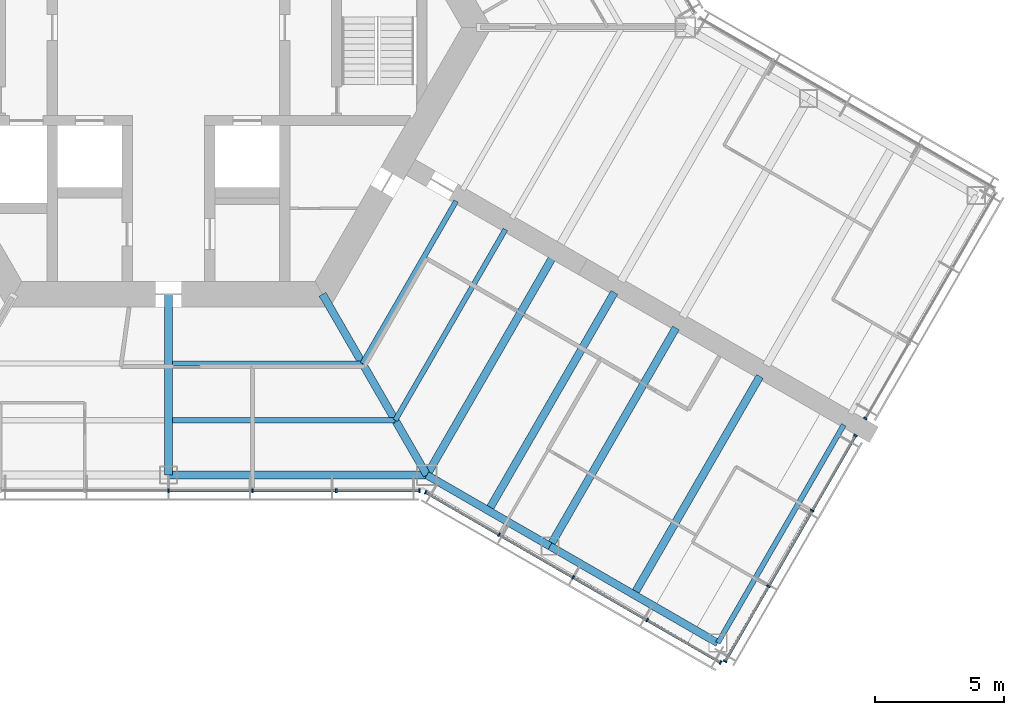
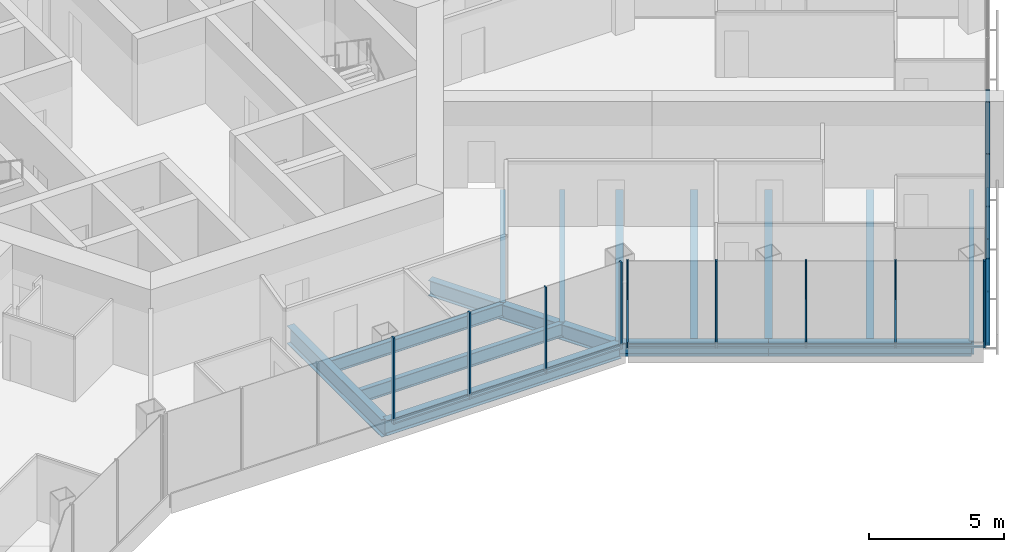
# One storey, part 5 of 18: 24 members, 14 beams, 4 elements without a shape of their own.
"""IFC4 building model written with IfcOpenShell, lengths in metres."""

from ifc_helpers import new_model, si_unit, direction, frame, origin, origin_2d, place, context, subcontext, project, spatial, rectangle, i_section, extrude, material, material_profile, profile_set, type_object, element, aggregate, save


model = new_model("IFC4")

# Units and contexts
model_context = context("Model", 3, precision=1e-05, world=origin(), true_north=direction((0.0, 1.0)))
body_context = subcontext(model_context, "Body", "Model", "MODEL_VIEW")
ifc_project = project(units=[si_unit("LENGTHUNIT", "METRE"), si_unit("AREAUNIT", "SQUARE_METRE"), si_unit("VOLUMEUNIT", "CUBIC_METRE"), si_unit("PLANEANGLEUNIT", "RADIAN"), si_unit("MASSUNIT", "GRAM", prefix="KILO")], contexts=[model_context])

# Site, building, storey
site_placement = place(None, origin())
site = spatial("IfcSite", under=ifc_project, at=site_placement, CompositionType="ELEMENT")
building_placement = place(site_placement, origin())
building = spatial("IfcBuilding", under=site, at=building_placement, Name="Kasaneha Research Tower", CompositionType="ELEMENT")
storey_placement = place(building_placement, frame((0.0, 0.0, 168.199951171875)))
storey = spatial("IfcBuildingStorey", under=building, at=storey_placement, Name="L42", CompositionType="ELEMENT", Elevation=168.199951171875)

# Beams
ifc_material_1 = material(Name="Steel SN490B", Category="steel")
ifc_material_profile_1 = material_profile(ifc_material_1, i_section(OverallWidth=0.199951171875, OverallDepth=0.60009765625, WebThickness=0.010986328125, FlangeThickness=0.01708984375, FilletRadius=0.012939453125, at=origin_2d()), Name="H-600x200x11x17")
ifc_profile_set_1 = profile_set([ifc_material_profile_1], Name="Steel SN490B")
beam_type_1 = type_object("IfcBeamType", Name="B1-3 secondary beam H-600x200x11x17", PredefinedType="JOIST", material=ifc_profile_set_1)
beam_1_placement = place(storey_placement, frame((7.505615234375, -13.0, -0.449951171875), z_axis=(-1.0, 0.0, 0.0), x_axis=(0.0, -1.0, 0.0)))
element("IfcBeam", 1, at=beam_1_placement, inside=storey, type_object=beam_type_1, Name="Secondary beam RS270R1 L42", PredefinedType="JOIST", context=body_context, shape_type="SweptSolid", body=[
    extrude(i_section(OverallWidth=0.199951171875, OverallDepth=0.60009765625, WebThickness=0.010986328125, FlangeThickness=0.01708984375, FilletRadius=0.012939453125, at=origin_2d()), origin(), (0.0, 0.0, 1.0), 7.355712890625),
])
beam_2_placement = place(storey_placement, frame((8.775634765625, -15.199951171875, -0.449951171875), z_axis=(-1.0, 0.0, 0.0), x_axis=(0.0, -1.0, 0.0)))
element("IfcBeam", 2, at=beam_2_placement, inside=storey, type_object=beam_type_1, Name="Secondary beam RS270R2 L42", PredefinedType="JOIST", context=body_context, shape_type="SweptSolid", body=[
    extrude(i_section(OverallWidth=0.199951171875, OverallDepth=0.60009765625, WebThickness=0.010986328125, FlangeThickness=0.01708984375, FilletRadius=0.012939453125, at=origin_2d()), origin(), (0.0, 0.0, 1.0), 8.625732421875),
])
beam_3_placement = place(storey_placement, frame((7.505615234375, -13.0, -0.449951171875), z_axis=(0.499993340521, 0.866029248602, 0.0), x_axis=(-0.866029248602, 0.499993340521, 0.0)))
element("IfcBeam", 3, at=beam_3_placement, inside=storey, type_object=beam_type_1, Name="Secondary beam RS330L1 L42", PredefinedType="JOIST", context=body_context, shape_type="SweptSolid", body=[
    extrude(i_section(OverallWidth=0.199951171875, OverallDepth=0.60009765625, WebThickness=0.010986328125, FlangeThickness=0.01708984375, FilletRadius=0.012939453125, at=origin_2d()), origin(), (0.0, 0.0, 1.0), 7.25537109375),
])
beam_4_placement = place(storey_placement, frame((8.775634765625, -15.199951171875, -0.449951171875), z_axis=(0.500004205306, 0.866022975836, 0.0), x_axis=(-0.866022975836, 0.500004205306, 0.0)))
element("IfcBeam", 4, at=beam_4_placement, inside=storey, type_object=beam_type_1, Name="Secondary beam RS330L2 L42", PredefinedType="JOIST", context=body_context, shape_type="SweptSolid", body=[
    extrude(i_section(OverallWidth=0.199951171875, OverallDepth=0.60009765625, WebThickness=0.010986328125, FlangeThickness=0.01708984375, FilletRadius=0.012939453125, at=origin_2d()), origin(), (0.0, 0.0, 1.0), 8.52587890625),
])
ifc_material_2 = material(Name="Steel SN490B", Category="steel")
ifc_material_profile_2 = material_profile(ifc_material_2, i_section(OverallWidth=0.300048828125, OverallDepth=0.58203125, WebThickness=0.011962890625, FlangeThickness=0.01708984375, FilletRadius=0.012939453125, at=origin_2d()), Name="H-582x300x12x17")
ifc_profile_set_2 = profile_set([ifc_material_profile_2], Name="Steel SN490B")
beam_type_2 = type_object("IfcBeamType", Name="B2-3 secondary beam H-582x300x12x17", PredefinedType="JOIST", material=ifc_profile_set_2)
for number, where, z_axis, x_axis, name in (
    (5, (12.381591796875, -18.695556640625, -0.44091796875), (0.499995560238, 0.866027967067, 0.0), (-0.866027967067, 0.499995560238, 0.0), "Secondary beam WBCP1 L42"),
    (6, (18.0107421875, -21.945556640625, -0.44091796875), (0.499995560238, 0.866027967067, 0.0), (-0.866027967067, 0.499995560238, 0.0), "Secondary beam WBCP2 L42"),
):
    element("IfcBeam", number, at=place(storey_placement, frame(where, z_axis=z_axis, x_axis=x_axis)), inside=storey, type_object=beam_type_2, Name=name, PredefinedType="JOIST", context=body_context, shape_type="SweptSolid", body=[
        extrude(i_section(OverallWidth=0.300048828125, OverallDepth=0.58203125, WebThickness=0.011962890625, FlangeThickness=0.01708984375, FilletRadius=0.012939453125, at=origin_2d()), origin(), (0.0, 0.0, 1.0), 9.75),
    ])

# Curtain wall, members
ifc_material_3 = material(Name="Glass and aluminium", Category="aluminium")
curtain_wall_type = type_object("IfcCurtainWallType", Name="Mid-rise office curtain wall", PredefinedType="USERDEFINED", material=ifc_material_3)
curtain_wall_1_placement = place(storey_placement, origin())
curtain_wall_1 = element("IfcCurtainWall", 7, at=curtain_wall_1_placement, inside=storey, type_object=curtain_wall_type, Name="CW-O2 L42 run 01a", ObjectType="UNITISED CURTAIN WALL", PredefinedType="USERDEFINED")
ifc_material_4 = material(Name="Aluminium 6063-T6", Category="aluminium")
ifc_material_profile_3 = material_profile(ifc_material_4, rectangle(XDim=0.06005859375, YDim=0.14990234375, at=origin_2d()), Name="CW-O2 mullion 60x150")
ifc_profile_set_3 = profile_set([ifc_material_profile_3], Name="Aluminium 6063-T6")
member_type_1 = type_object("IfcMemberType", Name="CW-O2 mullion", PredefinedType="MULLION", material=ifc_profile_set_3)
member_1_placement = place(storey_placement, frame((0.0, -17.92041015625, 0.0), z_axis=(0.0, 0.0, 1.0), x_axis=(1.0, 0.0, 0.0)))
member_1 = element("IfcMember", 8, at=member_1_placement, type_object=member_type_1, Name="CW-O2 mullion 4", PredefinedType="MULLION", context=body_context, shape_type="SweptSolid", body=[
    extrude(rectangle(XDim=0.06005859375, YDim=0.14990234375, at=origin_2d()), origin(), (0.0, 0.0, 1.0), 3.900146484375),
])
member_2_placement = place(storey_placement, frame((3.246337890625, -17.92041015625, 0.0), z_axis=(0.0, 0.0, 1.0), x_axis=(1.0, 0.0, 0.0)))
member_2 = element("IfcMember", 9, at=member_2_placement, type_object=member_type_1, Name="CW-O2 mullion 5", PredefinedType="MULLION", context=body_context, shape_type="SweptSolid", body=[
    extrude(rectangle(XDim=0.06005859375, YDim=0.14990234375, at=origin_2d()), origin(), (0.0, 0.0, 1.0), 3.900146484375),
])
member_3_placement = place(storey_placement, frame((6.492919921875, -17.92041015625, 0.0), z_axis=(0.0, 0.0, 1.0), x_axis=(1.0, 0.0, 0.0)))
member_3 = element("IfcMember", 10, at=member_3_placement, type_object=member_type_1, Name="CW-O2 mullion 6", PredefinedType="MULLION", context=body_context, shape_type="SweptSolid", body=[
    extrude(rectangle(XDim=0.06005859375, YDim=0.14990234375, at=origin_2d()), origin(), (0.0, 0.0, 1.0), 3.900146484375),
])
member_4_placement = place(storey_placement, frame((9.709228515625, -17.92041015625, 0.0), z_axis=(0.0, 0.0, 1.0), x_axis=(1.0, 0.0, 0.0)))
member_4 = element("IfcMember", 11, at=member_4_placement, type_object=member_type_1, Name="CW-O2 mullion 7", PredefinedType="MULLION", context=body_context, shape_type="SweptSolid", body=[
    extrude(rectangle(XDim=0.06005859375, YDim=0.14990234375, at=origin_2d()), origin(), (0.0, 0.0, 1.0), 3.900146484375),
])

curtain_wall_2_placement = place(storey_placement, origin())
curtain_wall_2 = element("IfcCurtainWall", 12, at=curtain_wall_2_placement, inside=storey, type_object=curtain_wall_type, Name="CW-O2 L42 run 02a", ObjectType="UNITISED CURTAIN WALL", PredefinedType="USERDEFINED")
member_5_placement = place(storey_placement, frame((9.951904296875, -17.985595703125, 0.0), z_axis=(0.0, 0.0, 1.0), x_axis=(0.866025411464, -0.499999986699, 0.0)))
member_5 = element("IfcMember", 13, at=member_5_placement, type_object=member_type_1, Name="CW-O2 mullion 1", PredefinedType="MULLION", context=body_context, shape_type="SweptSolid", body=[
    extrude(rectangle(XDim=0.06005859375, YDim=0.14990234375, at=origin_2d()), origin(), (0.0, 0.0, 1.0), 3.900146484375),
])
member_6_placement = place(storey_placement, frame((12.792236328125, -19.62548828125, 0.0), z_axis=(0.0, 0.0, 1.0), x_axis=(0.866025411464, -0.499999986699, 0.0)))
member_6 = element("IfcMember", 14, at=member_6_placement, type_object=member_type_1, Name="CW-O2 mullion 2", PredefinedType="MULLION", context=body_context, shape_type="SweptSolid", body=[
    extrude(rectangle(XDim=0.06005859375, YDim=0.14990234375, at=origin_2d()), origin(), (0.0, 0.0, 1.0), 3.900146484375),
])
member_7_placement = place(storey_placement, frame((15.65869140625, -21.2802734375, 0.0), z_axis=(0.0, 0.0, 1.0), x_axis=(0.866025411464, -0.499999986699, 0.0)))
member_7 = element("IfcMember", 15, at=member_7_placement, type_object=member_type_1, Name="CW-O2 mullion 3", PredefinedType="MULLION", context=body_context, shape_type="SweptSolid", body=[
    extrude(rectangle(XDim=0.06005859375, YDim=0.14990234375, at=origin_2d()), origin(), (0.0, 0.0, 1.0), 3.900146484375),
])
member_8_placement = place(storey_placement, frame((18.52490234375, -22.935302734375, 0.0), z_axis=(0.0, 0.0, 1.0), x_axis=(0.866025411464, -0.499999986699, 0.0)))
member_8 = element("IfcMember", 16, at=member_8_placement, type_object=member_type_1, Name="CW-O2 mullion 4", PredefinedType="MULLION", context=body_context, shape_type="SweptSolid", body=[
    extrude(rectangle(XDim=0.06005859375, YDim=0.14990234375, at=origin_2d()), origin(), (0.0, 0.0, 1.0), 3.900146484375),
])
member_9_placement = place(storey_placement, frame((21.365478515625, -24.5751953125, 0.0), z_axis=(0.0, 0.0, 1.0), x_axis=(0.866025411464, -0.499999986699, 0.0)))
member_9 = element("IfcMember", 17, at=member_9_placement, type_object=member_type_1, Name="CW-O2 mullion 5", PredefinedType="MULLION", context=body_context, shape_type="SweptSolid", body=[
    extrude(rectangle(XDim=0.06005859375, YDim=0.14990234375, at=origin_2d()), origin(), (0.0, 0.0, 1.0), 3.900146484375),
])

curtain_wall_3_placement = place(storey_placement, origin())
curtain_wall_3 = element("IfcCurtainWall", 18, at=curtain_wall_3_placement, inside=storey, type_object=curtain_wall_type, Name="CW-O2 L42 run 03a", ObjectType="UNITISED CURTAIN WALL", PredefinedType="USERDEFINED")
member_10_placement = place(storey_placement, frame((21.54296875, -24.527587890625, 0.0), z_axis=(0.0, 0.0, 1.0), x_axis=(0.500000011442, 0.866025397178, 0.0)))
member_10 = element("IfcMember", 19, at=member_10_placement, type_object=member_type_1, Name="CW-O2 mullion 1", PredefinedType="MULLION", context=body_context, shape_type="SweptSolid", body=[
    extrude(rectangle(XDim=0.06005859375, YDim=0.14990234375, at=origin_2d()), origin(), (0.0, 0.0, 1.0), 3.900146484375),
])
member_11_placement = place(storey_placement, frame((23.2197265625, -21.62353515625, 0.0), z_axis=(0.0, 0.0, 1.0), x_axis=(0.500000011442, 0.866025397178, 0.0)))
member_11 = element("IfcMember", 20, at=member_11_placement, type_object=member_type_1, Name="CW-O2 mullion 2", PredefinedType="MULLION", context=body_context, shape_type="SweptSolid", body=[
    extrude(rectangle(XDim=0.06005859375, YDim=0.14990234375, at=origin_2d()), origin(), (0.0, 0.0, 1.0), 3.900146484375),
])
member_12_placement = place(storey_placement, frame((24.911376953125, -18.693359375, 0.0), z_axis=(0.0, 0.0, 1.0), x_axis=(0.500000011442, 0.866025397178, 0.0)))
member_12 = element("IfcMember", 21, at=member_12_placement, type_object=member_type_1, Name="CW-O2 mullion 3", PredefinedType="MULLION", context=body_context, shape_type="SweptSolid", body=[
    extrude(rectangle(XDim=0.06005859375, YDim=0.14990234375, at=origin_2d()), origin(), (0.0, 0.0, 1.0), 3.900146484375),
])
member_13_placement = place(storey_placement, frame((26.587890625, -15.789306640625, 0.0), z_axis=(0.0, 0.0, 1.0), x_axis=(0.500000011442, 0.866025397178, 0.0)))
member_13 = element("IfcMember", 22, at=member_13_placement, type_object=member_type_1, Name="CW-O2 mullion 4", PredefinedType="MULLION", context=body_context, shape_type="SweptSolid", body=[
    extrude(rectangle(XDim=0.06005859375, YDim=0.14990234375, at=origin_2d()), origin(), (0.0, 0.0, 1.0), 3.900146484375),
])

# Curtain wall, member
curtain_wall_4_placement = place(storey_placement, origin())
curtain_wall_4 = element("IfcCurtainWall", 23, at=curtain_wall_4_placement, inside=storey, type_object=curtain_wall_type, Name="CW-O2 L42 run 04a", ObjectType="UNITISED CURTAIN WALL", PredefinedType="USERDEFINED")
member_14_placement = place(storey_placement, frame((26.968017578125, -15.131103515625, 0.0), z_axis=(0.0, 0.0, 1.0), x_axis=(0.500000011442, 0.866025397178, 0.0)))
member_14 = element("IfcMember", 24, at=member_14_placement, type_object=member_type_1, Name="CW-O2 mullion 1", PredefinedType="MULLION", context=body_context, shape_type="SweptSolid", body=[
    extrude(rectangle(XDim=0.06005859375, YDim=0.14990234375, at=origin_2d()), origin(), (0.0, 0.0, 1.0), 3.900146484375),
])
aggregate(curtain_wall_4, [member_14])

# Member
ifc_material_5 = material(Name="Aluminium 6063-T6", Category="aluminium")
ifc_material_profile_4 = material_profile(ifc_material_5, rectangle(XDim=0.110107421875, YDim=0.06005859375, at=origin_2d()), Name="CW-O2 transom 110x60")
ifc_profile_set_4 = profile_set([ifc_material_profile_4], Name="Aluminium 6063-T6")
member_type_2 = type_object("IfcMemberType", Name="CW-O2 transom", PredefinedType="USERDEFINED", material=ifc_profile_set_4)
member_15_placement = place(storey_placement, frame((0.030029296875, -17.92041015625, 0.030029296875), z_axis=(1.0, 0.0, 0.0), x_axis=(0.0, 1.0, 0.0)))
member_15 = element("IfcMember", 25, at=member_15_placement, type_object=member_type_2, Name="CW-O2 transom 4", ObjectType="TRANSOM", PredefinedType="USERDEFINED", context=body_context, shape_type="SweptSolid", body=[
    extrude(rectangle(XDim=0.110107421875, YDim=0.06005859375, at=origin_2d()), origin(), (0.0, 0.0, 1.0), 3.186279296875),
])

member_16_placement = place(storey_placement, frame((3.2763671875, -17.92041015625, 0.030029296875), z_axis=(1.0, 0.0, 0.0), x_axis=(0.0, 1.0, 0.0)))
member_16 = element("IfcMember", 26, at=member_16_placement, type_object=member_type_2, Name="CW-O2 transom 5", ObjectType="TRANSOM", PredefinedType="USERDEFINED", context=body_context, shape_type="SweptSolid", body=[
    extrude(rectangle(XDim=0.110107421875, YDim=0.06005859375, at=origin_2d()), origin(), (0.0, 0.0, 1.0), 3.1865234375),
])

member_17_placement = place(storey_placement, frame((6.522705078125, -17.92041015625, 0.030029296875), z_axis=(1.0, 0.0, 0.0), x_axis=(0.0, 1.0, 0.0)))
member_17 = element("IfcMember", 27, at=member_17_placement, type_object=member_type_2, Name="CW-O2 transom 6", ObjectType="TRANSOM", PredefinedType="USERDEFINED", context=body_context, shape_type="SweptSolid", body=[
    extrude(rectangle(XDim=0.110107421875, YDim=0.06005859375, at=origin_2d()), origin(), (0.0, 0.0, 1.0), 3.156494140625),
])

aggregate(curtain_wall_1, [member_1, member_2, member_3, member_4, member_15, member_16, member_17])

member_18_placement = place(storey_placement, frame((9.977783203125, -18.00048828125, 0.030029296875), z_axis=(0.866022692473, -0.500004696101, 0.0), x_axis=(0.500004696101, 0.866022692473, 0.0)))
member_18 = element("IfcMember", 28, at=member_18_placement, type_object=member_type_2, Name="CW-O2 transom 1", ObjectType="TRANSOM", PredefinedType="USERDEFINED", context=body_context, shape_type="SweptSolid", body=[
    extrude(rectangle(XDim=0.110107421875, YDim=0.06005859375, at=origin_2d()), origin(), (0.0, 0.0, 1.0), 3.2197265625),
])

member_19_placement = place(storey_placement, frame((12.818115234375, -19.640380859375, 0.030029296875), z_axis=(0.866015446554, -0.500017246033, 0.0), x_axis=(0.500017246033, 0.866015446554, 0.0)))
member_19 = element("IfcMember", 29, at=member_19_placement, type_object=member_type_2, Name="CW-O2 transom 2", ObjectType="TRANSOM", PredefinedType="USERDEFINED", context=body_context, shape_type="SweptSolid", body=[
    extrude(rectangle(XDim=0.110107421875, YDim=0.06005859375, at=origin_2d()), origin(), (0.0, 0.0, 1.0), 3.25),
])

member_20_placement = place(storey_placement, frame((15.6845703125, -21.29541015625, 0.030029296875), z_axis=(0.86604797581, -0.499960902066, 0.0), x_axis=(0.499960902066, 0.86604797581, 0.0)))
member_20 = element("IfcMember", 30, at=member_20_placement, type_object=member_type_2, Name="CW-O2 transom 3", ObjectType="TRANSOM", PredefinedType="USERDEFINED", context=body_context, shape_type="SweptSolid", body=[
    extrude(rectangle(XDim=0.110107421875, YDim=0.06005859375, at=origin_2d()), origin(), (0.0, 0.0, 1.0), 3.249755859375),
])

member_21_placement = place(storey_placement, frame((18.551025390625, -22.9501953125, 0.030029296875), z_axis=(0.866022692473, -0.500004696101, 0.0), x_axis=(0.500004696101, 0.866022692473, 0.0)))
member_21 = element("IfcMember", 31, at=member_21_placement, type_object=member_type_2, Name="CW-O2 transom 4", ObjectType="TRANSOM", PredefinedType="USERDEFINED", context=body_context, shape_type="SweptSolid", body=[
    extrude(rectangle(XDim=0.110107421875, YDim=0.06005859375, at=origin_2d()), origin(), (0.0, 0.0, 1.0), 3.2197265625),
])

aggregate(curtain_wall_2, [member_5, member_6, member_7, member_8, member_9, member_18, member_19, member_20, member_21])

member_22_placement = place(storey_placement, frame((21.557861328125, -24.50146484375, 0.030029296875), z_axis=(0.500021914551, 0.866012751043, 0.0), x_axis=(-0.866012751043, 0.500021914551, 0.0)))
member_22 = element("IfcMember", 32, at=member_22_placement, type_object=member_type_2, Name="CW-O2 transom 1", ObjectType="TRANSOM", PredefinedType="USERDEFINED", context=body_context, shape_type="SweptSolid", body=[
    extrude(rectangle(XDim=0.110107421875, YDim=0.06005859375, at=origin_2d()), origin(), (0.0, 0.0, 1.0), 3.293212890625),
])

member_23_placement = place(storey_placement, frame((23.234619140625, -21.597412109375, 0.030029296875), z_axis=(0.500010745865, 0.866019199568, 0.0), x_axis=(-0.866019199568, 0.500010745865, 0.0)))
member_23 = element("IfcMember", 33, at=member_23_placement, type_object=member_type_2, Name="CW-O2 transom 2", ObjectType="TRANSOM", PredefinedType="USERDEFINED", context=body_context, shape_type="SweptSolid", body=[
    extrude(rectangle(XDim=0.110107421875, YDim=0.06005859375, at=origin_2d()), origin(), (0.0, 0.0, 1.0), 3.3232421875),
])

member_24_placement = place(storey_placement, frame((24.92626953125, -18.66748046875, 0.030029296875), z_axis=(0.500021914551, 0.866012751043, 0.0), x_axis=(-0.866012751043, 0.500021914551, 0.0)))
member_24 = element("IfcMember", 34, at=member_24_placement, type_object=member_type_2, Name="CW-O2 transom 3", ObjectType="TRANSOM", PredefinedType="USERDEFINED", context=body_context, shape_type="SweptSolid", body=[
    extrude(rectangle(XDim=0.110107421875, YDim=0.06005859375, at=origin_2d()), origin(), (0.0, 0.0, 1.0), 3.293212890625),
])

aggregate(curtain_wall_3, [member_10, member_11, member_12, member_13, member_22, member_23, member_24])

# Beams
ifc_material_6 = material(Name="Steel SN490B", Category="steel")
ifc_material_profile_5 = material_profile(ifc_material_6, i_section(OverallWidth=0.300048828125, OverallDepth=0.699951171875, WebThickness=0.012939453125, FlangeThickness=0.02392578125, FilletRadius=0.01806640625, at=origin_2d()), Name="H-700x300x13x24")
ifc_profile_set_5 = profile_set([ifc_material_profile_5], Name="Steel SN490B")
beam_type_3 = type_object("IfcBeamType", Name="G1-3 radial girder H-700x300x13x24", PredefinedType="BEAM", material=ifc_profile_set_5)
beam_5_placement = place(storey_placement, frame((5.961181640625, -10.324951171875, -0.5), z_axis=(0.49999105496, -0.866030568144, 0.0), x_axis=(0.866030568144, 0.49999105496, 0.0)))
element("IfcBeam", 35, at=beam_5_placement, inside=storey, type_object=beam_type_3, Name="Radial girder RV300 L42", PredefinedType="BEAM", context=body_context, shape_type="SweptSolid", body=[
    extrude(i_section(OverallWidth=0.300048828125, OverallDepth=0.699951171875, WebThickness=0.012939453125, FlangeThickness=0.02392578125, FilletRadius=0.01806640625, at=origin_2d()), origin(), (0.0, 0.0, 1.0), 8.077880859375),
])
ifc_material_7 = material(Name="Steel SN490B", Category="steel")
ifc_material_profile_6 = material_profile(ifc_material_7, i_section(OverallWidth=0.300048828125, OverallDepth=0.800048828125, WebThickness=0.013916015625, FlangeThickness=0.02587890625, FilletRadius=0.01806640625, at=origin_2d()), Name="H-800x300x14x26")
ifc_profile_set_6 = profile_set([ifc_material_profile_6], Name="Steel SN490B")
beam_type_4 = type_object("IfcBeamType", Name="G2-3 radial girder H-800x300x14x26", PredefinedType="BEAM", material=ifc_profile_set_6)
beam_6_placement = place(storey_placement, frame((0.0, -10.324951171875, -0.550048828125), z_axis=(0.0, -1.0, 0.0), x_axis=(1.0, 0.0, 0.0)))
element("IfcBeam", 36, at=beam_6_placement, inside=storey, type_object=beam_type_4, Name="Radial girder RM270 L42", PredefinedType="BEAM", context=body_context, shape_type="SweptSolid", body=[
    extrude(i_section(OverallWidth=0.300048828125, OverallDepth=0.800048828125, WebThickness=0.013916015625, FlangeThickness=0.02587890625, FilletRadius=0.01806640625, at=origin_2d()), origin(), (0.0, 0.0, 1.0), 6.99560546875),
])
ifc_material_8 = material(Name="Steel SN490B", Category="steel")
ifc_material_profile_7 = material_profile(ifc_material_8, i_section(OverallWidth=0.300048828125, OverallDepth=0.69189453125, WebThickness=0.012939453125, FlangeThickness=0.02001953125, FilletRadius=0.01806640625, at=origin_2d()), Name="H-692x300x13x20")
ifc_profile_set_7 = profile_set([ifc_material_profile_7], Name="Steel SN490B")
beam_type_5 = type_object("IfcBeamType", Name="G3-3 plate edge girder H-692x300x13x20", PredefinedType="BEAM", material=ifc_profile_set_7)
beam_7_placement = place(storey_placement, frame((10.0, -17.320556640625, -0.495849609375), z_axis=(0.499995560238, 0.866027967067, 0.0), x_axis=(-0.866027967067, 0.499995560238, 0.0)))
element("IfcBeam", 37, at=beam_7_placement, inside=storey, type_object=beam_type_5, Name="Plate edge girder PECP L42", PredefinedType="BEAM", context=body_context, shape_type="SweptSolid", body=[
    extrude(i_section(OverallWidth=0.300048828125, OverallDepth=0.69189453125, WebThickness=0.012939453125, FlangeThickness=0.02001953125, FilletRadius=0.01806640625, at=origin_2d()), origin(), (0.0, 0.0, 1.0), 9.75),
])
ifc_material_9 = material(Name="Steel SN490B", Category="steel")
ifc_material_profile_8 = material_profile(ifc_material_9, i_section(OverallWidth=0.300048828125, OverallDepth=0.699951171875, WebThickness=0.012939453125, FlangeThickness=0.02392578125, FilletRadius=0.01806640625, at=origin_2d()), Name="H-700x300x13x24")
ifc_profile_set_8 = profile_set([ifc_material_profile_8], Name="Steel SN490B")
beam_type_6 = type_object("IfcBeamType", Name="G4-3 wing girder H-700x300x13x24", PredefinedType="BEAM", material=ifc_profile_set_8)
beam_8_placement = place(storey_placement, frame((14.76318359375, -20.070556640625, -0.5), z_axis=(0.499995560238, 0.866027967067, 0.0), x_axis=(-0.866027967067, 0.499995560238, 0.0)))
element("IfcBeam", 38, at=beam_8_placement, inside=storey, type_object=beam_type_6, Name="Wing girder WGCP L42", PredefinedType="BEAM", context=body_context, shape_type="SweptSolid", body=[
    extrude(i_section(OverallWidth=0.300048828125, OverallDepth=0.699951171875, WebThickness=0.012939453125, FlangeThickness=0.02392578125, FilletRadius=0.01806640625, at=origin_2d()), origin(), (0.0, 0.0, 1.0), 9.75),
])
ifc_material_10 = material(Name="Steel SN490B", Category="steel")
ifc_material_profile_9 = material_profile(ifc_material_10, i_section(OverallWidth=0.300048828125, OverallDepth=0.69189453125, WebThickness=0.012939453125, FlangeThickness=0.02001953125, FilletRadius=0.01806640625, at=origin_2d()), Name="H-692x300x13x20")
ifc_profile_set_9 = profile_set([ifc_material_profile_9], Name="Steel SN490B")
beam_type_7 = type_object("IfcBeamType", Name="SB1-3 spandrel beam H-692x300x13x20", PredefinedType="SPANDREL", material=ifc_profile_set_9)
beam_9_placement = place(storey_placement, frame((10.0, -17.320556640625, -0.495849609375), z_axis=(-1.0, 0.0, 0.0), x_axis=(0.0, -1.0, 0.0)))
element("IfcBeam", 39, at=beam_9_placement, inside=storey, type_object=beam_type_7, Name="Spandrel beam SR270R L42", PredefinedType="SPANDREL", context=body_context, shape_type="SweptSolid", body=[
    extrude(i_section(OverallWidth=0.300048828125, OverallDepth=0.69189453125, WebThickness=0.012939453125, FlangeThickness=0.02001953125, FilletRadius=0.01806640625, at=origin_2d()), origin(), (0.0, 0.0, 1.0), 10.0),
])
ifc_material_11 = material(Name="Steel SN490B", Category="steel")
ifc_material_profile_10 = material_profile(ifc_material_11, i_section(OverallWidth=0.300048828125, OverallDepth=0.58203125, WebThickness=0.011962890625, FlangeThickness=0.01708984375, FilletRadius=0.012939453125, at=origin_2d()), Name="H-582x300x12x17")
ifc_profile_set_10 = profile_set([ifc_material_profile_10], Name="Steel SN490B")
beam_type_8 = type_object("IfcBeamType", Name="SB2-3 spandrel beam H-582x300x12x17", PredefinedType="SPANDREL", material=ifc_profile_set_10)
beam_10_placement = place(storey_placement, frame((10.0, -17.320556640625, -0.44091796875), z_axis=(0.866027397988, -0.499996545922, 0.0), x_axis=(0.499996545922, 0.866027397988, 0.0)))
element("IfcBeam", 40, at=beam_10_placement, inside=storey, type_object=beam_type_8, Name="Spandrel beam WSCP1 L42", PredefinedType="SPANDREL", context=body_context, shape_type="SweptSolid", body=[
    extrude(i_section(OverallWidth=0.300048828125, OverallDepth=0.58203125, WebThickness=0.011962890625, FlangeThickness=0.01708984375, FilletRadius=0.012939453125, at=origin_2d()), origin(), (0.0, 0.0, 1.0), 5.5),
])
beam_11_placement = place(storey_placement, frame((14.76318359375, -20.070556640625, -0.44091796875), z_axis=(0.866022959057, -0.500004234368, 0.0), x_axis=(0.500004234368, 0.866022959057, 0.0)))
element("IfcBeam", 41, at=beam_11_placement, inside=storey, type_object=beam_type_8, Name="Spandrel beam WSCP2 L42", PredefinedType="SPANDREL", context=body_context, shape_type="SweptSolid", body=[
    extrude(i_section(OverallWidth=0.300048828125, OverallDepth=0.58203125, WebThickness=0.011962890625, FlangeThickness=0.01708984375, FilletRadius=0.012939453125, at=origin_2d()), origin(), (0.0, 0.0, 1.0), 7.5),
])
ifc_material_12 = material(Name="Steel SN490B", Category="steel")
ifc_material_profile_11 = material_profile(ifc_material_12, i_section(OverallWidth=0.199951171875, OverallDepth=0.60009765625, WebThickness=0.010986328125, FlangeThickness=0.01708984375, FilletRadius=0.012939453125, at=origin_2d()), Name="H-600x200x11x17")
ifc_profile_set_11 = profile_set([ifc_material_profile_11], Name="Steel SN490B")
beam_type_9 = type_object("IfcBeamType", Name="SB3-3 spandrel beam H-600x200x11x17", PredefinedType="SPANDREL", material=ifc_profile_set_11)
beam_12_placement = place(storey_placement, frame((21.25830078125, -23.820556640625, -0.449951171875), z_axis=(0.499995560238, 0.866027967067, 0.0), x_axis=(-0.866027967067, 0.499995560238, 0.0)))
element("IfcBeam", 42, at=beam_12_placement, inside=storey, type_object=beam_type_9, Name="Spandrel beam WTCP L42", PredefinedType="SPANDREL", context=body_context, shape_type="SweptSolid", body=[
    extrude(i_section(OverallWidth=0.199951171875, OverallDepth=0.60009765625, WebThickness=0.010986328125, FlangeThickness=0.01708984375, FilletRadius=0.012939453125, at=origin_2d()), origin(), (0.0, 0.0, 1.0), 9.75),
])

save(model, "model.ifc")
